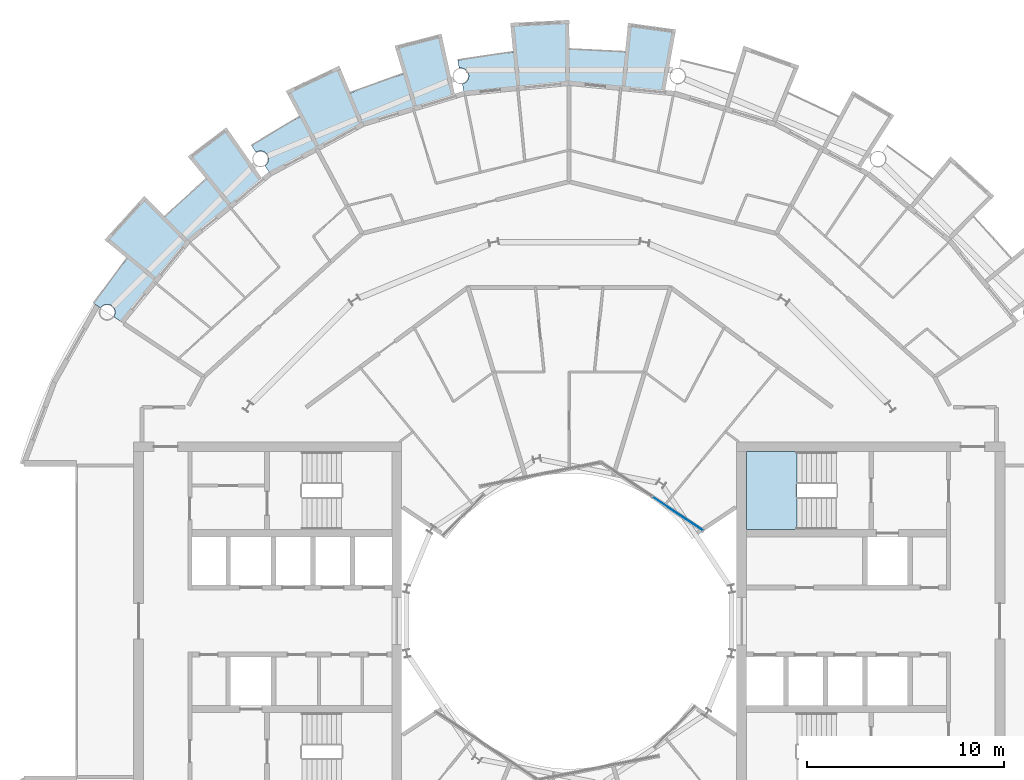
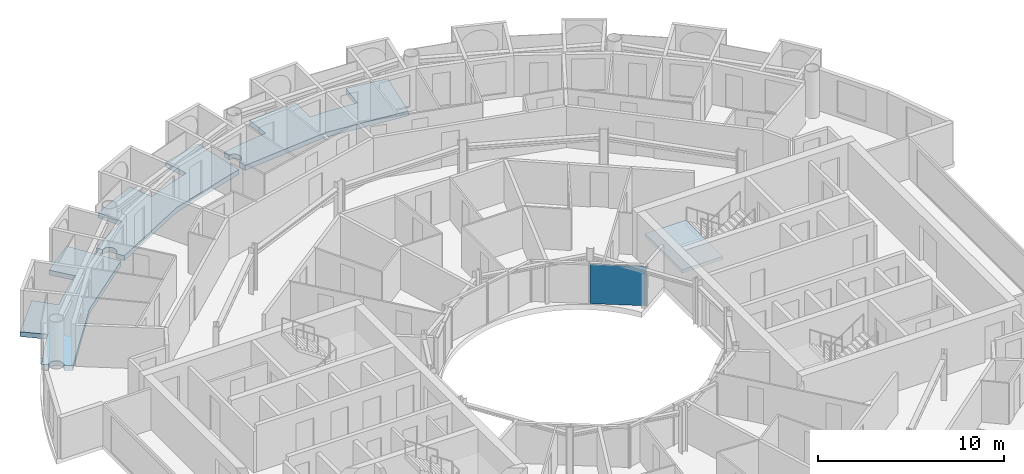
# One storey, part 12 of 27: 4 slabs, 1 plate, 2 elements without a shape of their own.
"""IFC4 building model written with IfcOpenShell, lengths in metres."""

from ifc_helpers import new_model, si_unit, direction, frame, origin, origin_2d, place, context, subcontext, project, spatial, polyline, rectangle, outline, extrude, material, layer, layer_set, type_object, element, aggregate, save


model = new_model("IFC4")

# Units and contexts
model_context = context("Model", 3, precision=1e-05, world=origin(), true_north=direction((0.0, 1.0)))
body_context = subcontext(model_context, "Body", "Model", "MODEL_VIEW")
ifc_project = project(units=[si_unit("LENGTHUNIT", "METRE"), si_unit("AREAUNIT", "SQUARE_METRE"), si_unit("VOLUMEUNIT", "CUBIC_METRE"), si_unit("PLANEANGLEUNIT", "RADIAN"), si_unit("MASSUNIT", "GRAM", prefix="KILO")], contexts=[model_context])

# Site, building, storey
site_placement = place(None, origin())
site = spatial("IfcSite", under=ifc_project, at=site_placement, CompositionType="ELEMENT")
building_placement = place(site_placement, origin())
building = spatial("IfcBuilding", under=site, at=building_placement, Name="Maasbend Ring Residences", CompositionType="ELEMENT")
storey_placement = place(building_placement, frame((0.0, 0.0, 151.300048828125)))
storey = spatial("IfcBuildingStorey", under=building, at=storey_placement, Name="L43", CompositionType="ELEMENT", Elevation=151.300048828125)

# Stair, slab
ifc_material_1 = material(Name="Concrete C40/50", Category="concrete")
stair_type = type_object("IfcStairType", Name="CORE STAIR 18 RISERS", PredefinedType="HALF_TURN_STAIR", material=ifc_material_1)
stair_placement = place(storey_placement, origin())
stair = element("IfcStair", 1, at=stair_placement, inside=storey, type_object=stair_type, Name="L43 Exit stair ST-E1", PredefinedType="HALF_TURN_STAIR")
ifc_material_2 = material(Name="Concrete C40/50", Category="concrete")
ifc_layer_1 = layer(ifc_material_2, 0.199951171875)
ifc_layer_set_1 = layer_set([ifc_layer_1], Name="Concrete C40/50")
slab_type_1 = type_object("IfcSlabType", Name="CORE STAIR LANDING 200", PredefinedType="LANDING", material=ifc_layer_set_1)
slab_1_placement = place(storey_placement, frame((0.0, 0.0, 1.324951171875)))
slab_1 = element("IfcSlab", 2, at=slab_1_placement, type_object=slab_type_1, Name="ST-E1 landing 1", PredefinedType="LANDING", context=body_context, shape_type="SweptSolid", body=[
    extrude(outline(polyline([(11.550048828125, 8.60009765625), (9.0, 8.60009765625), (9.0, 4.64990234375), (11.550048828125, 4.64990234375), (11.550048828125, 8.60009765625)])), origin(), (0.0, 0.0, 1.0), 0.199951171875),
])
aggregate(stair, [slab_1])

# Curtain wall, plate
ifc_material_3 = material(Name="Aluminium and clear glass", Category="aluminium")
ifc_layer_2 = layer(ifc_material_3, 0.179931640625)
ifc_layer_set_2 = layer_set([ifc_layer_2], Name="CW-W")
curtain_wall_type = type_object("IfcCurtainWallType", Name="CW-W", PredefinedType="NOTDEFINED", material=ifc_layer_set_2)
curtain_wall_placement = place(storey_placement, origin())
curtain_wall = element("IfcCurtainWall", 3, at=curtain_wall_placement, inside=storey, type_object=curtain_wall_type, Name="Well curtain wall N1", PredefinedType="NOTDEFINED")
ifc_material_4 = material(Name="Glass clear laminated", Category="glass")
ifc_layer_3 = layer(ifc_material_4, 0.031982421875)
ifc_layer_set_3 = layer_set([ifc_layer_3], Name="CWP-W")
plate_type = type_object("IfcPlateType", Name="CWP-W", PredefinedType="CURTAIN_PANEL", material=ifc_layer_set_3)
plate_placement = place(storey_placement, frame((5.51123046875, 5.44580078125, 0.0), z_axis=(0.0, 0.0, 1.0), x_axis=(-0.831469612303, 0.55557023302, 0.0)))
plate = element("IfcPlate", 4, at=plate_placement, type_object=plate_type, Name="Glass panel well face", PredefinedType="CURTAIN_PANEL", context=body_context, shape_type="SweptSolid", body=[
    extrude(rectangle(XDim=3.053955078125, YDim=0.031982421875, at=origin_2d()), origin(), (0.0, 0.0, 1.0), 2.580078125),
])
aggregate(curtain_wall, [plate])

# Slabs
ifc_material_5 = material(Name="Concrete C40/50", Category="concrete")
ifc_layer_4 = layer(ifc_material_5, 0.199951171875)
ifc_layer_set_4 = layer_set([ifc_layer_4], Name="Concrete C40/50")
slab_type_2 = type_object("IfcSlabType", Name="SL-LOGGIA", PredefinedType="FLOOR", material=ifc_layer_set_4)
slab_2_placement = place(storey_placement, frame((0.0, 0.0, -0.35009765625)))
element("IfcSlab", 5, at=slab_2_placement, inside=storey, type_object=slab_type_2, Name="Loggia floor 1", PredefinedType="FLOOR", context=body_context, shape_type="SweptSolid", body=[
    extrude(outline(polyline([(-14.5, 25.114990234375), (-13.6708984375, 25.574951171875), (-13.6708984375, 25.575927734375), (-13.6708984375, 25.575927734375), (-13.6708984375, 25.575927734375), (-13.6708984375, 25.575927734375), (-13.6708984375, 25.575927734375), (-13.6708984375, 25.575927734375), (-13.6708984375, 25.575927734375), (-13.6708984375, 25.575927734375), (-13.6708984375, 25.575927734375), (-13.6708984375, 25.575927734375), (-13.6708984375, 25.575927734375), (-13.6708984375, 25.575927734375), (-13.6708984375, 25.575927734375), (-13.6708984375, 25.575927734375), (-13.6708984375, 25.575927734375), (-13.6708984375, 25.575927734375), (-14.3779296875, 26.89892578125), (-14.3779296875, 26.89892578125), (-14.3779296875, 26.89892578125), (-11.672119140625, 28.177978515625), (-11.672119140625, 28.177978515625), (-11.672119140625, 28.177978515625), (-11.097900390625, 26.79296875), (-11.097900390625, 26.79296875), (-11.097900390625, 26.79296875), (-11.097900390625, 26.79296875), (-11.097900390625, 26.79296875), (-11.097900390625, 26.79296875), (-11.097900390625, 26.79296875), (-11.097900390625, 26.79296875), (-11.097900390625, 26.79296875), (-11.097900390625, 26.79296875), (-11.097900390625, 26.79296875), (-11.097900390625, 26.79296875), (-11.097900390625, 26.79296875), (-11.097900390625, 26.79296875), (-11.096923828125, 26.79296875), (-11.096923828125, 26.79296875), (-11.096923828125, 26.79296875), (-10.215087890625, 27.14111328125), (-10.215087890625, 27.14111328125), (-9.322021484375, 27.4609375), (-9.322021484375, 27.4609375), (-8.4189453125, 27.7509765625), (-8.4189453125, 27.7509765625), (-8.4189453125, 27.7509765625), (-8.4189453125, 27.7509765625), (-8.4189453125, 27.7509765625), (-8.4189453125, 27.7509765625), (-8.41796875, 27.7509765625), (-8.41796875, 27.7509765625), (-8.41796875, 27.7509765625), (-8.41796875, 27.7509765625), (-8.41796875, 27.7509765625), (-8.41796875, 27.751953125), (-8.41796875, 27.751953125), (-8.41796875, 27.751953125), (-8.41796875, 27.751953125), (-8.41796875, 27.751953125), (-8.41796875, 27.751953125), (-8.85400390625, 29.18701171875), (-8.85400390625, 29.18701171875), (-8.85400390625, 29.18701171875), (-6.487060546875, 29.802001953125), (-6.487060546875, 29.802001953125), (-6.487060546875, 29.802001953125), (-5.797119140625, 26.633056640625), (-5.797119140625, 26.633056640625), (-5.797119140625, 26.633056640625), (-7.886962890625, 25.9990234375), (-10.447021484375, 25.221923828125), (-10.447021484375, 25.221923828125), (-10.447021484375, 25.221923828125), (-12.806884765625, 23.9609375), (-15.1669921875, 22.698974609375), (-15.1669921875, 22.698974609375), (-15.1669921875, 22.698974609375), (-15.44091796875, 23.10888671875), (-15.43310546875, 23.114990234375), (-15.425048828125, 23.12109375), (-15.4169921875, 23.126953125), (-15.408935546875, 23.133056640625), (-15.402099609375, 23.139892578125), (-15.39404296875, 23.14599609375), (-15.386962890625, 23.153076171875), (-15.3798828125, 23.159912109375), (-15.373046875, 23.1669921875), (-15.365966796875, 23.174072265625), (-15.35888671875, 23.181884765625), (-15.35302734375, 23.18994140625), (-15.346923828125, 23.197021484375), (-15.341064453125, 23.205078125), (-15.3349609375, 23.212890625), (-15.3291015625, 23.221923828125), (-15.323974609375, 23.22998046875), (-15.318115234375, 23.238037109375), (-15.31298828125, 23.2470703125), (-15.30908203125, 23.256103515625), (-15.303955078125, 23.264892578125), (-15.300048828125, 23.27392578125), (-15.294921875, 23.282958984375), (-15.2919921875, 23.2919921875), (-15.2880859375, 23.301025390625), (-15.283935546875, 23.31005859375), (-15.281005859375, 23.320068359375), (-15.278076171875, 23.3291015625), (-15.27490234375, 23.339111328125), (-15.27294921875, 23.34912109375), (-15.27001953125, 23.35791015625), (-15.26806640625, 23.367919921875), (-15.26708984375, 23.3779296875), (-15.264892578125, 23.387939453125), (-15.263916015625, 23.39794921875), (-15.262939453125, 23.407958984375), (-15.261962890625, 23.4169921875), (-15.260986328125, 23.427001953125), (-15.260986328125, 23.43701171875), (-15.260986328125, 23.447021484375), (-15.260986328125, 23.45703125), (-15.260986328125, 23.467041015625), (-15.261962890625, 23.47705078125), (-15.262939453125, 23.487060546875), (-15.263916015625, 23.4970703125), (-15.264892578125, 23.507080078125), (-15.26708984375, 23.51708984375), (-15.26806640625, 23.527099609375), (-15.27001953125, 23.535888671875), (-15.27294921875, 23.5458984375), (-15.27490234375, 23.555908203125), (-15.278076171875, 23.56494140625), (-15.281005859375, 23.574951171875), (-15.283935546875, 23.583984375), (-15.2880859375, 23.593994140625), (-15.2919921875, 23.60302734375), (-15.294921875, 23.612060546875), (-15.300048828125, 23.62109375), (-15.303955078125, 23.6298828125), (-15.30908203125, 23.638916015625), (-15.31298828125, 23.64794921875), (-15.318115234375, 23.656005859375), (-15.323974609375, 23.6650390625), (-15.3291015625, 23.673095703125), (-15.3349609375, 23.680908203125), (-15.341064453125, 23.68994140625), (-15.346923828125, 23.697021484375), (-15.35302734375, 23.705078125), (-15.35888671875, 23.712890625), (-15.365966796875, 23.719970703125), (-15.373046875, 23.72802734375), (-15.3798828125, 23.735107421875), (-15.386962890625, 23.741943359375), (-15.39404296875, 23.7490234375), (-15.402099609375, 23.7548828125), (-15.408935546875, 23.761962890625), (-15.4169921875, 23.76806640625), (-15.425048828125, 23.77392578125), (-15.43310546875, 23.780029296875), (-15.44091796875, 23.784912109375), (-15.449951171875, 23.791015625), (-15.4580078125, 23.7958984375), (-15.467041015625, 23.801025390625), (-15.47509765625, 23.805908203125), (-15.48388671875, 23.81005859375), (-15.492919921875, 23.81494140625), (-15.501953125, 23.819091796875), (-15.511962890625, 23.822998046875), (-15.52099609375, 23.826904296875), (-15.530029296875, 23.830078125), (-15.5400390625, 23.8330078125), (-15.549072265625, 23.8359375), (-15.55908203125, 23.839111328125), (-15.568115234375, 23.842041015625), (-15.577880859375, 23.843994140625), (-15.587890625, 23.845947265625), (-15.597900390625, 23.847900390625), (-15.60693359375, 23.85009765625), (-15.616943359375, 23.85107421875), (-15.626953125, 23.85205078125), (-15.636962890625, 23.85302734375), (-15.64697265625, 23.85302734375), (-15.656982421875, 23.85400390625), (-15.6669921875, 23.85400390625), (-15.677001953125, 23.85400390625), (-15.68701171875, 23.85302734375), (-15.697021484375, 23.85302734375), (-15.70703125, 23.85205078125), (-15.717041015625, 23.85107421875), (-15.72705078125, 23.85009765625), (-15.737060546875, 23.847900390625), (-15.74609375, 23.845947265625), (-15.756103515625, 23.843994140625), (-15.76611328125, 23.842041015625), (-15.77587890625, 23.839111328125), (-15.784912109375, 23.8359375), (-15.794921875, 23.8330078125), (-15.803955078125, 23.830078125), (-15.81298828125, 23.826904296875), (-15.822998046875, 23.822998046875), (-15.83203125, 23.819091796875), (-15.841064453125, 23.81494140625), (-15.85009765625, 23.81005859375), (-15.85888671875, 23.805908203125), (-15.866943359375, 23.801025390625), (-15.8759765625, 23.7958984375), (-15.885009765625, 23.791015625), (-15.89306640625, 23.784912109375), (-16.112060546875, 24.113037109375), (-16.112060546875, 24.113037109375), (-16.112060546875, 24.113037109375), (-15.31396484375, 24.626953125), (-15.31396484375, 24.626953125), (-14.5, 25.114990234375), (-14.5, 25.114990234375)])), origin(), (0.0, 0.0, 1.0), 0.320068359375),
])
slab_3_placement = place(storey_placement, frame((0.0, 0.0, -0.35009765625)))
element("IfcSlab", 6, at=slab_3_placement, inside=storey, type_object=slab_type_2, Name="Loggia floor 3", PredefinedType="FLOOR", context=body_context, shape_type="SweptSolid", body=[
    extrude(outline(polyline([(-3.784912109375, 28.751953125), (-2.843017578125, 28.860107421875), (-2.843017578125, 28.860107421875), (-2.843017578125, 28.860107421875), (-2.843017578125, 28.860107421875), (-2.843017578125, 28.860107421875), (-2.843017578125, 28.860107421875), (-2.843017578125, 28.860107421875), (-2.843017578125, 28.860107421875), (-2.843017578125, 28.860107421875), (-2.843017578125, 28.861083984375), (-2.843017578125, 28.861083984375), (-2.843017578125, 28.861083984375), (-2.843017578125, 28.861083984375), (-2.843017578125, 28.861083984375), (-2.843017578125, 28.861083984375), (-2.843017578125, 28.861083984375), (-2.843017578125, 28.861083984375), (-2.989990234375, 30.35302734375), (-2.989990234375, 30.35302734375), (-2.989990234375, 30.35302734375), (0.0, 30.5), (0.0, 30.5), (0.0, 30.5), (0.0, 29.0), (0.0, 29.0), (0.0, 29.0), (0.0, 29.0), (0.0, 29.0), (0.0, 29.0), (0.0, 29.0), (0.0, 29.0), (0.0, 29.0), (0.0, 29.0), (0.0, 29.0), (0.0, 29.0), (0.0, 29.0), (0.0, 29.0), (0.0, 29.0), (0.0, 29.0), (0.0, 29.0), (0.948974609375, 28.98388671875), (0.948974609375, 28.98388671875), (1.89697265625, 28.93798828125), (1.89697265625, 28.93798828125), (2.842041015625, 28.860107421875), (2.842041015625, 28.860107421875), (2.842041015625, 28.860107421875), (2.842041015625, 28.860107421875), (2.842041015625, 28.860107421875), (2.842041015625, 28.860107421875), (2.842041015625, 28.860107421875), (2.842041015625, 28.860107421875), (2.842041015625, 28.861083984375), (2.842041015625, 28.861083984375), (2.842041015625, 28.861083984375), (2.842041015625, 28.861083984375), (2.842041015625, 28.861083984375), (2.843017578125, 28.861083984375), (2.843017578125, 28.861083984375), (2.843017578125, 28.861083984375), (2.843017578125, 28.861083984375), (2.989990234375, 30.35302734375), (2.989990234375, 30.35302734375), (2.989990234375, 30.35302734375), (5.412109375, 30.01611328125), (5.412109375, 30.01611328125), (5.412109375, 30.01611328125), (4.8359375, 26.823974609375), (4.8359375, 26.823974609375), (4.8359375, 26.823974609375), (2.6630859375, 27.0380859375), (0.0, 27.300048828125), (0.0, 27.300048828125), (0.0, 27.300048828125), (-2.6630859375, 27.0380859375), (-5.325927734375, 26.77490234375), (-5.325927734375, 26.77490234375), (-5.325927734375, 26.77490234375), (-5.422119140625, 27.259033203125), (-5.422119140625, 27.259033203125), (-5.412109375, 27.260986328125), (-5.403076171875, 27.263916015625), (-5.39306640625, 27.26611328125), (-5.383056640625, 27.26904296875), (-5.3740234375, 27.27197265625), (-5.364990234375, 27.27490234375), (-5.35498046875, 27.279052734375), (-5.345947265625, 27.282958984375), (-5.3369140625, 27.285888671875), (-5.327880859375, 27.291015625), (-5.319091796875, 27.294921875), (-5.31005859375, 27.300048828125), (-5.301025390625, 27.303955078125), (-5.29296875, 27.30908203125), (-5.283935546875, 27.31494140625), (-5.27587890625, 27.320068359375), (-5.26708984375, 27.325927734375), (-5.259033203125, 27.33203125), (-5.2509765625, 27.337890625), (-5.243896484375, 27.343994140625), (-5.236083984375, 27.35009765625), (-5.22900390625, 27.35693359375), (-5.220947265625, 27.364013671875), (-5.214111328125, 27.37109375), (-5.20703125, 27.3779296875), (-5.199951171875, 27.385009765625), (-5.194091796875, 27.39306640625), (-5.18701171875, 27.39990234375), (-5.180908203125, 27.407958984375), (-5.175048828125, 27.416015625), (-5.1689453125, 27.424072265625), (-5.1640625, 27.431884765625), (-5.157958984375, 27.44091796875), (-5.153076171875, 27.448974609375), (-5.14794921875, 27.4580078125), (-5.14306640625, 27.466064453125), (-5.137939453125, 27.47509765625), (-5.134033203125, 27.48388671875), (-5.1298828125, 27.492919921875), (-5.1259765625, 27.5029296875), (-5.1220703125, 27.511962890625), (-5.118896484375, 27.52099609375), (-5.115966796875, 27.531005859375), (-5.113037109375, 27.5400390625), (-5.110107421875, 27.550048828125), (-5.10693359375, 27.55908203125), (-5.10498046875, 27.569091796875), (-5.10302734375, 27.5791015625), (-5.10107421875, 27.589111328125), (-5.09912109375, 27.597900390625), (-5.097900390625, 27.60791015625), (-5.096923828125, 27.617919921875), (-5.095947265625, 27.6279296875), (-5.094970703125, 27.637939453125), (-5.094970703125, 27.64794921875), (-5.094970703125, 27.657958984375), (-5.094970703125, 27.66796875), (-5.094970703125, 27.677978515625), (-5.095947265625, 27.68798828125), (-5.096923828125, 27.697998046875), (-5.097900390625, 27.7080078125), (-5.09912109375, 27.718017578125), (-5.10107421875, 27.72802734375), (-5.10302734375, 27.737060546875), (-5.10498046875, 27.7470703125), (-5.10693359375, 27.757080078125), (-5.110107421875, 27.76708984375), (-5.113037109375, 27.77587890625), (-5.115966796875, 27.785888671875), (-5.118896484375, 27.794921875), (-5.1220703125, 27.803955078125), (-5.1259765625, 27.81396484375), (-5.1298828125, 27.822998046875), (-5.134033203125, 27.83203125), (-5.137939453125, 27.841064453125), (-5.14306640625, 27.85009765625), (-5.14794921875, 27.85791015625), (-5.153076171875, 27.866943359375), (-5.157958984375, 27.8759765625), (-5.1640625, 27.884033203125), (-5.1689453125, 27.89208984375), (-5.175048828125, 27.89990234375), (-5.180908203125, 27.907958984375), (-5.18701171875, 27.916015625), (-5.194091796875, 27.924072265625), (-5.199951171875, 27.930908203125), (-5.20703125, 27.93798828125), (-5.214111328125, 27.946044921875), (-5.220947265625, 27.952880859375), (-5.22900390625, 27.958984375), (-5.236083984375, 27.966064453125), (-5.243896484375, 27.971923828125), (-5.2509765625, 27.97900390625), (-5.259033203125, 27.985107421875), (-5.26708984375, 27.989990234375), (-5.27587890625, 27.99609375), (-5.283935546875, 28.001953125), (-5.29296875, 28.007080078125), (-5.301025390625, 28.011962890625), (-5.31005859375, 28.01708984375), (-5.319091796875, 28.02099609375), (-5.327880859375, 28.02587890625), (-5.3369140625, 28.030029296875), (-5.345947265625, 28.033935546875), (-5.35498046875, 28.037109375), (-5.364990234375, 28.041015625), (-5.3740234375, 28.0439453125), (-5.383056640625, 28.047119140625), (-5.39306640625, 28.050048828125), (-5.403076171875, 28.052001953125), (-5.412109375, 28.054931640625), (-5.422119140625, 28.056884765625), (-5.431884765625, 28.05908203125), (-5.44189453125, 28.06005859375), (-5.451904296875, 28.06201171875), (-5.4619140625, 28.06298828125), (-5.471923828125, 28.06298828125), (-5.48193359375, 28.06396484375), (-5.491943359375, 28.06396484375), (-5.501953125, 28.06494140625), (-5.510986328125, 28.06396484375), (-5.52099609375, 28.06396484375), (-5.531005859375, 28.06298828125), (-5.541015625, 28.06298828125), (-5.551025390625, 28.06201171875), (-5.56103515625, 28.06005859375), (-5.571044921875, 28.05908203125), (-5.5810546875, 28.056884765625), (-5.5810546875, 28.056884765625), (-5.657958984375, 28.443115234375), (-5.657958984375, 28.443115234375), (-5.657958984375, 28.443115234375), (-4.72412109375, 28.613037109375), (-4.72412109375, 28.613037109375), (-3.784912109375, 28.751953125), (-3.784912109375, 28.751953125)])), origin(), (0.0, 0.0, 1.0), 0.320068359375),
])
slab_4_placement = place(storey_placement, frame((0.0, 0.0, -0.35009765625)))
element("IfcSlab", 7, at=slab_4_placement, inside=storey, type_object=slab_type_2, Name="Loggia floor 4", PredefinedType="FLOOR", context=body_context, shape_type="SweptSolid", body=[
    extrude(outline(polyline([(-23.007080078125, 17.654052734375), (-22.41796875, 18.39697265625), (-22.41796875, 18.39697265625), (-22.41796875, 18.39697265625), (-22.41796875, 18.39697265625), (-22.41796875, 18.39697265625), (-22.41796875, 18.39697265625), (-22.41796875, 18.39697265625), (-22.41796875, 18.39697265625), (-22.41796875, 18.39697265625), (-22.41796875, 18.39697265625), (-22.41796875, 18.39697265625), (-22.41796875, 18.39794921875), (-22.41796875, 18.39794921875), (-22.41796875, 18.39794921875), (-22.41796875, 18.39794921875), (-22.41796875, 18.39794921875), (-22.41796875, 18.39794921875), (-23.576904296875, 19.34912109375), (-23.576904296875, 19.34912109375), (-23.576904296875, 19.34912109375), (-21.56689453125, 21.56689453125), (-21.56689453125, 21.56689453125), (-21.56689453125, 21.56689453125), (-20.506103515625, 20.506103515625), (-20.506103515625, 20.506103515625), (-20.506103515625, 20.506103515625), (-20.506103515625, 20.506103515625), (-20.506103515625, 20.506103515625), (-20.506103515625, 20.506103515625), (-20.506103515625, 20.506103515625), (-20.506103515625, 20.506103515625), (-20.506103515625, 20.506103515625), (-20.506103515625, 20.506103515625), (-20.506103515625, 20.506103515625), (-20.506103515625, 20.506103515625), (-20.506103515625, 20.506103515625), (-20.506103515625, 20.506103515625), (-20.506103515625, 20.506103515625), (-20.506103515625, 20.506103515625), (-20.506103515625, 20.506103515625), (-19.823974609375, 21.166015625), (-19.823974609375, 21.166015625), (-19.12109375, 21.802978515625), (-19.12109375, 21.802978515625), (-18.39794921875, 22.4169921875), (-18.39794921875, 22.4169921875), (-18.39794921875, 22.4169921875), (-18.39794921875, 22.4169921875), (-18.39794921875, 22.4169921875), (-18.39794921875, 22.4169921875), (-18.39794921875, 22.4169921875), (-18.39794921875, 22.4169921875), (-18.39794921875, 22.4169921875), (-18.39794921875, 22.4169921875), (-18.39794921875, 22.4169921875), (-18.39794921875, 22.4169921875), (-18.39794921875, 22.41796875), (-18.39794921875, 22.41796875), (-18.39794921875, 22.41796875), (-18.39794921875, 22.41796875), (-18.39794921875, 22.41796875), (-19.34912109375, 23.576904296875), (-19.34912109375, 23.576904296875), (-19.34912109375, 23.576904296875), (-17.39794921875, 25.051025390625), (-17.39794921875, 25.051025390625), (-17.39794921875, 25.051025390625), (-15.547119140625, 22.386962890625), (-15.547119140625, 22.386962890625), (-15.547119140625, 22.386962890625), (-17.236083984375, 21.001953125), (-19.303955078125, 19.303955078125), (-19.303955078125, 19.303955078125), (-19.303955078125, 19.303955078125), (-21.001953125, 17.236083984375), (-22.698974609375, 15.1669921875), (-22.698974609375, 15.1669921875), (-22.698974609375, 15.1669921875), (-23.10888671875, 15.44091796875), (-23.10888671875, 15.44091796875), (-23.10400390625, 15.449951171875), (-23.09912109375, 15.4580078125), (-23.093994140625, 15.467041015625), (-23.089111328125, 15.47509765625), (-23.083984375, 15.48388671875), (-23.080078125, 15.492919921875), (-23.075927734375, 15.501953125), (-23.072021484375, 15.511962890625), (-23.068115234375, 15.52099609375), (-23.06494140625, 15.530029296875), (-23.06103515625, 15.5400390625), (-23.05810546875, 15.549072265625), (-23.055908203125, 15.55908203125), (-23.052978515625, 15.568115234375), (-23.051025390625, 15.577880859375), (-23.049072265625, 15.587890625), (-23.047119140625, 15.597900390625), (-23.044921875, 15.60693359375), (-23.0439453125, 15.616943359375), (-23.04296875, 15.626953125), (-23.0419921875, 15.636962890625), (-23.041015625, 15.64697265625), (-23.041015625, 15.656982421875), (-23.041015625, 15.6669921875), (-23.041015625, 15.677001953125), (-23.041015625, 15.68701171875), (-23.0419921875, 15.697021484375), (-23.04296875, 15.70703125), (-23.0439453125, 15.717041015625), (-23.044921875, 15.72705078125), (-23.047119140625, 15.737060546875), (-23.049072265625, 15.74609375), (-23.051025390625, 15.756103515625), (-23.052978515625, 15.76611328125), (-23.055908203125, 15.77587890625), (-23.05810546875, 15.784912109375), (-23.06103515625, 15.794921875), (-23.06494140625, 15.803955078125), (-23.068115234375, 15.81298828125), (-23.072021484375, 15.822998046875), (-23.075927734375, 15.83203125), (-23.080078125, 15.841064453125), (-23.083984375, 15.85009765625), (-23.089111328125, 15.85888671875), (-23.093994140625, 15.866943359375), (-23.09912109375, 15.8759765625), (-23.10400390625, 15.885009765625), (-23.10888671875, 15.89306640625), (-23.114990234375, 15.90087890625), (-23.12109375, 15.908935546875), (-23.126953125, 15.9169921875), (-23.133056640625, 15.925048828125), (-23.139892578125, 15.93310546875), (-23.14599609375, 15.93994140625), (-23.153076171875, 15.947021484375), (-23.159912109375, 15.955078125), (-23.1669921875, 15.9619140625), (-23.174072265625, 15.968017578125), (-23.181884765625, 15.97509765625), (-23.18994140625, 15.98095703125), (-23.197021484375, 15.988037109375), (-23.205078125, 15.993896484375), (-23.212890625, 15.9990234375), (-23.221923828125, 16.0048828125), (-23.22998046875, 16.010986328125), (-23.238037109375, 16.01611328125), (-23.2470703125, 16.02099609375), (-23.256103515625, 16.02587890625), (-23.264892578125, 16.030029296875), (-23.27392578125, 16.034912109375), (-23.282958984375, 16.0390625), (-23.2919921875, 16.04296875), (-23.301025390625, 16.0458984375), (-23.31005859375, 16.050048828125), (-23.320068359375, 16.052978515625), (-23.3291015625, 16.055908203125), (-23.339111328125, 16.05908203125), (-23.34912109375, 16.06103515625), (-23.35791015625, 16.06396484375), (-23.367919921875, 16.06591796875), (-23.3779296875, 16.068115234375), (-23.387939453125, 16.069091796875), (-23.39794921875, 16.071044921875), (-23.407958984375, 16.072021484375), (-23.4169921875, 16.072021484375), (-23.427001953125, 16.072998046875), (-23.43701171875, 16.072998046875), (-23.447021484375, 16.073974609375), (-23.45703125, 16.072998046875), (-23.467041015625, 16.072998046875), (-23.47705078125, 16.072021484375), (-23.487060546875, 16.072021484375), (-23.4970703125, 16.071044921875), (-23.507080078125, 16.069091796875), (-23.51708984375, 16.068115234375), (-23.527099609375, 16.06591796875), (-23.535888671875, 16.06396484375), (-23.5458984375, 16.06103515625), (-23.555908203125, 16.05908203125), (-23.56494140625, 16.055908203125), (-23.574951171875, 16.052978515625), (-23.583984375, 16.050048828125), (-23.593994140625, 16.0458984375), (-23.60302734375, 16.04296875), (-23.612060546875, 16.0390625), (-23.62109375, 16.034912109375), (-23.6298828125, 16.030029296875), (-23.638916015625, 16.02587890625), (-23.64794921875, 16.02099609375), (-23.656005859375, 16.01611328125), (-23.6650390625, 16.010986328125), (-23.673095703125, 16.0048828125), (-23.680908203125, 15.9990234375), (-23.68994140625, 15.993896484375), (-23.697021484375, 15.988037109375), (-23.705078125, 15.98095703125), (-23.712890625, 15.97509765625), (-23.719970703125, 15.968017578125), (-23.72802734375, 15.9619140625), (-23.735107421875, 15.955078125), (-23.741943359375, 15.947021484375), (-23.7490234375, 15.93994140625), (-23.7548828125, 15.93310546875), (-23.761962890625, 15.925048828125), (-23.76806640625, 15.9169921875), (-23.77392578125, 15.908935546875), (-23.780029296875, 15.90087890625), (-23.784912109375, 15.89306640625), (-23.784912109375, 15.89306640625), (-24.113037109375, 16.112060546875), (-24.113037109375, 16.112060546875), (-24.113037109375, 16.112060546875), (-23.572998046875, 16.89208984375), (-23.572998046875, 16.89208984375), (-23.007080078125, 17.654052734375), (-23.007080078125, 17.654052734375)])), origin(), (0.0, 0.0, 1.0), 0.320068359375),
])

save(model, "model.ifc")
